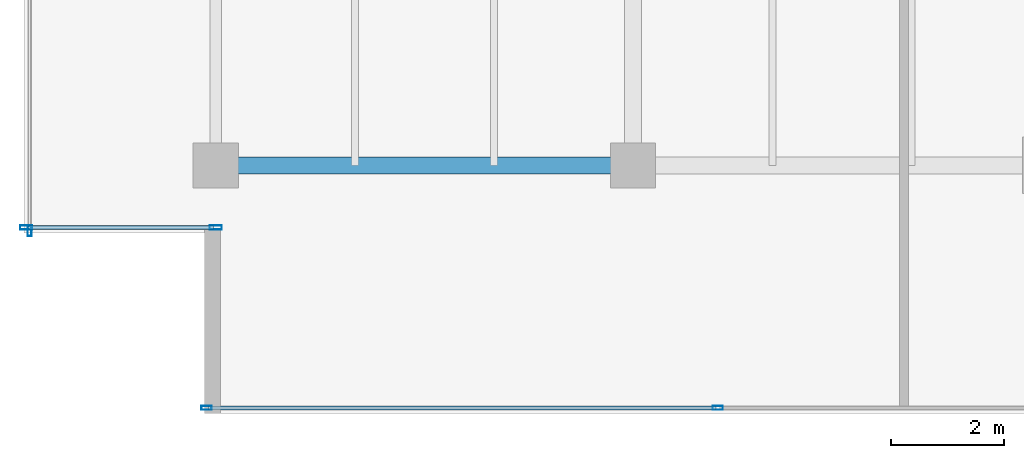
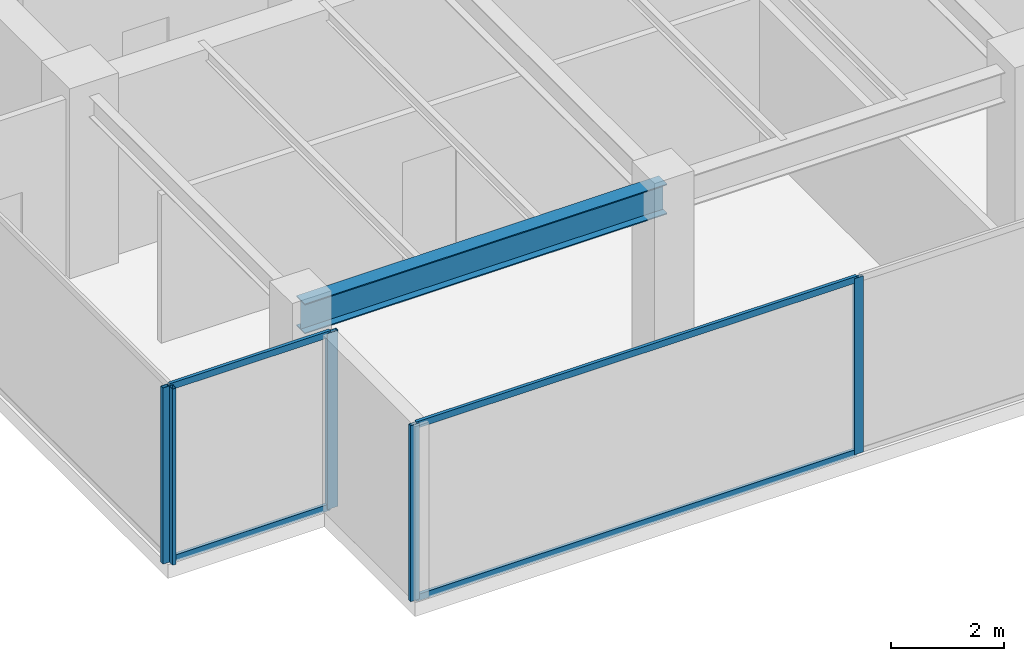
# One storey, part 5 of 33: 9 members, 1 beam, 3 elements without a shape of their own.
"""IFC4 building model written with IfcOpenShell, lengths in metres."""

import ifcopenshell
import ifcopenshell.guid

model = None  # the IFC model being written
_history = None  # IfcOwnerHistory: only IFC2X3 demands one
_inside = {}  # id of a spatial element -> (the spatial element, [elements in it])
_under = {}  # id of a project, library or spatial element -> (it, [spatial elements below it])
_declared = {}  # id of a project -> (the project, [libraries it declares])
_typed = {}  # id of a type object -> (the type object, [elements of that type])
_made_of = {}  # id of a material, layer set ... -> (it, [elements and type objects made of it])


def new_model(schema):
    """Start an empty IFC model of exactly this schema.

    Asked for "IFC4X3", IfcOpenShell would pick the latest addendum, in which some entities
    have other attributes; the version numbers below select the first issue.
    IFC2X3 requires an IfcOwnerHistory on every rooted entity: one is made here for all.
    """
    global model, _history
    if schema == "IFC4X3":
        model = ifcopenshell.file(schema_version=(4, 3, 0, 0))
    else:
        model = ifcopenshell.file(schema=schema)
    _inside.clear()
    _under.clear()
    _declared.clear()
    _typed.clear()
    _made_of.clear()
    _history = None
    if model.schema == "IFC2X3":
        org = make("IfcOrganization", Name="unknown")
        user = make(
            "IfcPersonAndOrganization",
            ThePerson=make("IfcPerson", FamilyName="unknown"),
            TheOrganization=org,
        )
        app = make(
            "IfcApplication",
            ApplicationDeveloper=org,
            Version="unknown",
            ApplicationFullName="unknown",
            ApplicationIdentifier="unknown",
        )
        _history = make(
            "IfcOwnerHistory",
            OwningUser=user,
            OwningApplication=app,
            ChangeAction="ADDED",
            CreationDate=0,
        )
    return model


def make(cls, **values):
    """One entity of the class cls with the attributes given. An attribute that is None is left unset."""
    return model.create_entity(
        cls, **{name: value for name, value in values.items() if value is not None}
    )


def rooted(cls, **values):
    """An entity with a GlobalId (a new one), such as an element, a storey or a relation."""
    return make(cls, GlobalId=ifcopenshell.guid.new(), OwnerHistory=_history, **values)


def si_unit(unit_type, name, prefix=None):
    """IfcSIUnit, for example si_unit("LENGTHUNIT", "METRE", prefix="MILLI")."""
    return make("IfcSIUnit", UnitType=unit_type, Prefix=prefix, Name=name)


def assignment(units):
    """IfcUnitAssignment: the units of a project."""
    return None if units is None else make("IfcUnitAssignment", Units=units)


def point(xyz):
    """IfcCartesianPoint."""
    return None if xyz is None else make("IfcCartesianPoint", Coordinates=xyz)


def direction(xyz):
    """IfcDirection."""
    return None if xyz is None else make("IfcDirection", DirectionRatios=xyz)


def frame(location, z_axis=None, x_axis=None):
    """IfcAxis2Placement3D, a coordinate frame: its origin and axes. An axis left out is left unset."""
    return make(
        "IfcAxis2Placement3D",
        Location=point(location),
        Axis=direction(z_axis),
        RefDirection=direction(x_axis),
    )


def frame_2d(location, x_axis=None):
    """IfcAxis2Placement2D, a coordinate frame in the plane: its origin and x axis."""
    return make(
        "IfcAxis2Placement2D", Location=point(location), RefDirection=direction(x_axis)
    )


def origin():
    """The frame at (0, 0, 0) with its axes left unset."""
    return frame((0.0, 0.0, 0.0))


def origin_2d():
    """The frame at (0, 0) in the plane with its x axis left unset."""
    return frame_2d((0.0, 0.0))


def place(relative_to, where):
    """IfcLocalPlacement: puts the frame where relative to a parent placement (None: the world)."""
    return make(
        "IfcLocalPlacement", PlacementRelTo=relative_to, RelativePlacement=where
    )


def context(
    kind, dimensions, precision=None, world=None, true_north=None, identifier=None
):
    """IfcGeometricRepresentationContext, for example the 3D "Model" context."""
    return make(
        "IfcGeometricRepresentationContext",
        ContextIdentifier=identifier,
        ContextType=kind,
        CoordinateSpaceDimension=dimensions,
        Precision=precision,
        WorldCoordinateSystem=world,
        TrueNorth=true_north,
    )


def subcontext(parent, identifier, kind, view, scale=None):
    """IfcGeometricRepresentationSubContext, for example "Body" below "Model"."""
    return make(
        "IfcGeometricRepresentationSubContext",
        ContextIdentifier=identifier,
        ContextType=kind,
        ParentContext=parent,
        TargetScale=scale,
        TargetView=view,
    )


def project(units=None, contexts=None):
    """IfcProject with its units and contexts."""
    return rooted(
        "IfcProject",
        Name="project",
        RepresentationContexts=contexts,
        UnitsInContext=assignment(units),
    )


def spatial(cls, under=None, at=None, **own):
    """A site, building, storey or space (cls), placed at a placement, below another one or the project."""
    s = rooted(cls, ObjectPlacement=at, **own)
    if under is not None:
        _under.setdefault(under.id(), (under, []))[1].append(s)
    return s


def profile(cls, at=None, kind="AREA", **sizes):
    """A parametric profile (cls). Its sizes go by their IFC names, for example OverallWidth=200.0."""
    return make(cls, ProfileType=kind, Position=at, **sizes)


def hollow_rectangle(**sizes):
    """IfcRectangleHollowProfileDef."""
    return profile("IfcRectangleHollowProfileDef", **sizes)


def i_section(**sizes):
    """IfcIShapeProfileDef."""
    return profile("IfcIShapeProfileDef", **sizes)


def extrude(swept, where, along, depth):
    """IfcExtrudedAreaSolid: the profile swept, set in the frame where, extruded along a direction by depth."""
    return make(
        "IfcExtrudedAreaSolid",
        SweptArea=swept,
        Position=where,
        ExtrudedDirection=direction(along),
        Depth=depth,
    )


def shape(context_of_items, identifier, shape_type, items):
    """IfcShapeRepresentation: the items that make up one representation, for example the "Body"."""
    return make(
        "IfcShapeRepresentation",
        ContextOfItems=context_of_items,
        RepresentationIdentifier=identifier,
        RepresentationType=shape_type,
        Items=items,
    )


def source(mapping_origin, context_of_items, identifier, shape_type, items):
    """IfcRepresentationMap: a shape defined once, which mapped items show again and again."""
    return make(
        "IfcRepresentationMap",
        MappingOrigin=mapping_origin,
        MappedRepresentation=shape(context_of_items, identifier, shape_type, items),
    )


def transform(
    local_origin,
    x_axis=None,
    y_axis=None,
    z_axis=None,
    scale=None,
    scale2=None,
    scale3=None,
    uniform=True,
):
    """IfcCartesianTransformationOperator3D, or its non-uniform kind. x_axis, y_axis, z_axis: its Axis1, 2, 3."""
    if uniform:
        return make(
            "IfcCartesianTransformationOperator3D",
            Axis1=direction(x_axis),
            Axis2=direction(y_axis),
            LocalOrigin=point(local_origin),
            Scale=scale,
            Axis3=direction(z_axis),
        )
    return make(
        "IfcCartesianTransformationOperator3DnonUniform",
        Axis1=direction(x_axis),
        Axis2=direction(y_axis),
        LocalOrigin=point(local_origin),
        Scale=scale,
        Axis3=direction(z_axis),
        Scale2=scale2,
        Scale3=scale3,
    )


def mapped(mapping_source, mapping_target):
    """IfcMappedItem: shows the shape of a source again, moved by a transform."""
    return make(
        "IfcMappedItem", MappingSource=mapping_source, MappingTarget=mapping_target
    )


def material(Name=None, Category=None):
    """IfcMaterial."""
    return make("IfcMaterial", Name=Name, Category=Category)


def layer(
    of_material, thickness, ventilated=None, Name=None, Category=None, Priority=None
):
    """IfcMaterialLayer: one layer of a wall or slab, of a material (None: an air gap)."""
    return make(
        "IfcMaterialLayer",
        Material=of_material,
        LayerThickness=thickness,
        IsVentilated=ventilated,
        Name=Name,
        Category=Category,
        Priority=Priority,
    )


def layer_set(layers, Name=None):
    """IfcMaterialLayerSet."""
    return make("IfcMaterialLayerSet", MaterialLayers=layers, LayerSetName=Name)


def material_profile(
    of_material, cross_section, Name=None, Category=None, Priority=None
):
    """IfcMaterialProfile: a cross section and its material."""
    return make(
        "IfcMaterialProfile",
        Name=Name,
        Material=of_material,
        Profile=cross_section,
        Priority=Priority,
        Category=Category,
    )


def profile_set(profiles, Name=None, composite=None):
    """IfcMaterialProfileSet."""
    return make(
        "IfcMaterialProfileSet",
        Name=Name,
        MaterialProfiles=profiles,
        CompositeProfile=composite,
    )


def made_of(thing, what):
    """Note that an element or type object is made of a material, layer set ...; save() writes the relation."""
    if what is not None:
        _made_of.setdefault(what.id(), (what, []))[1].append(thing)
    return thing


def type_object(cls, material=None, **own):
    """A type object (cls), such as IfcWallType, which elements share."""
    return made_of(rooted(cls, **own), material)


def type_shapes(of_type, sources):
    """Give a type object the sources (RepresentationMaps) that its elements show as mapped items."""
    of_type.RepresentationMaps = sources


def element(
    cls,
    number,
    at=None,
    inside=None,
    cuts=None,
    type_object=None,
    material=None,
    context=None,
    identifier="Body",
    shape_type=None,
    held_by="IfcProductDefinitionShape",
    body=None,
    shapes=None,
    **own,
):
    """One element of the class cls, such as IfcWall. Its Tag is "e" and its number.

    at: its placement. inside: the storey or other place that contains it. cuts: it is an
    opening in that element (IfcRelVoidsElement). A single representation is given by context,
    identifier, shape_type and body (its items); several are given by shapes. held_by: the class
    of the entity that holds the representations. save() writes the other relations.
    """
    e = rooted(cls, Tag="e%d" % number, ObjectPlacement=at, **own)
    if body is not None:
        shapes = [shape(context, identifier, shape_type, body)]
    if shapes is not None:
        e.Representation = make(held_by, Representations=shapes)
    if inside is not None:
        _inside.setdefault(inside.id(), (inside, []))[1].append(e)
    if cuts is not None:
        rooted(
            "IfcRelVoidsElement", RelatingBuildingElement=cuts, RelatedOpeningElement=e
        )
    if type_object is not None:
        _typed.setdefault(type_object.id(), (type_object, []))[1].append(e)
    return made_of(e, material)


def aggregate(whole, parts):
    """IfcRelAggregates: a whole, such as a stair, and the parts it consists of."""
    return rooted("IfcRelAggregates", RelatingObject=whole, RelatedObjects=parts)


def save(model, path):
    """Write the relations noted so far, then the file.

    IfcRelAggregates (storeys below a building ...), IfcRelContainedInSpatialStructure (elements
    in a storey), IfcRelDefinesByType, IfcRelAssociatesMaterial and IfcRelDeclares: one each for
    every whole, place, type object, material and project.
    """
    for whole, parts in _under.values():
        aggregate(whole, parts)
    for where, things in _inside.values():
        rooted(
            "IfcRelContainedInSpatialStructure",
            RelatedElements=things,
            RelatingStructure=where,
        )
    for kind, things in _typed.values():
        rooted("IfcRelDefinesByType", RelatedObjects=things, RelatingType=kind)
    for what, things in _made_of.values():
        rooted("IfcRelAssociatesMaterial", RelatedObjects=things, RelatingMaterial=what)
    for by, libraries in _declared.values():
        rooted("IfcRelDeclares", RelatingContext=by, RelatedDefinitions=libraries)
    model.write(path)


model = new_model("IFC4")

# Units and contexts
model_context = context("Model", 3, precision=1e-05, world=origin(), true_north=direction((0.0, 1.0)))
body_context = subcontext(model_context, "Body", "Model", "MODEL_VIEW")
ifc_project = project(units=[si_unit("LENGTHUNIT", "METRE"), si_unit("AREAUNIT", "SQUARE_METRE"), si_unit("VOLUMEUNIT", "CUBIC_METRE"), si_unit("PLANEANGLEUNIT", "RADIAN"), si_unit("MASSUNIT", "GRAM", prefix="KILO")], contexts=[model_context])

# Site, building, storey
site_placement = place(None, origin())
site = spatial("IfcSite", under=ifc_project, at=site_placement, CompositionType="ELEMENT")
building_placement = place(site_placement, origin())
building = spatial("IfcBuilding", under=site, at=building_placement, Name="Haelvirn Gate Laboratories", CompositionType="ELEMENT")
storey_placement = place(building_placement, frame((0.0, 0.0, 287.5)))
storey = spatial("IfcBuildingStorey", under=building, at=storey_placement, Name="L69", CompositionType="ELEMENT", Elevation=287.5)

# Beam
ifc_material_1 = material(Name="Steel SM355", Category="steel")
ifc_material_profile_1 = material_profile(ifc_material_1, i_section(OverallWidth=0.300048828125, OverallDepth=0.64990234375, WebThickness=0.012939453125, FlangeThickness=0.02197265625, at=origin_2d()), Name="H-650x300x13x22")
ifc_profile_set_1 = profile_set([ifc_material_profile_1], Name="Steel SM355")
beam_type = type_object("IfcBeamType", Name="BM-G-650", PredefinedType="BEAM", material=ifc_profile_set_1)
shared_shape_1 = source(origin(), body_context, "Body", "SweptSolid", [
    extrude(i_section(OverallWidth=0.300048828125, OverallDepth=0.64990234375, WebThickness=0.012939453125, FlangeThickness=0.02197265625, at=origin_2d()), origin(), (0.0, 0.0, 1.0), 7.400146484375),
])
type_shapes(beam_type, [shared_shape_1])
beam_placement = place(storey_placement, frame((7.39990234375, 7.0, 3.47509765625), z_axis=(1.0, 0.0, 0.0), x_axis=(0.0, 1.0, 0.0)))
element("IfcBeam", 1, at=beam_placement, inside=storey, type_object=beam_type, Name="L69 Primary Girder Y7.0 (7.4-14.8)", PredefinedType="BEAM", context=body_context, shape_type="MappedRepresentation", body=[
    mapped(shared_shape_1, transform((0.0, 0.0, 0.0), scale=1.0)),
])

# Curtain wall, members
ifc_material_2 = material(Name="Anodised bronze unitised aluminium & triple low-E glass", Category="aluminium")
ifc_layer_1 = layer(ifc_material_2, 0.181884765625, Name="CW-SYS-5")
ifc_layer_set_1 = layer_set([ifc_layer_1], Name="Anodised bronze unitised aluminium & triple low-E glass")
curtain_wall_type_1 = type_object("IfcCurtainWallType", Name="CW-SYS-5", PredefinedType="NOTDEFINED", material=ifc_layer_set_1)
curtain_wall_1_placement = place(storey_placement, origin())
curtain_wall_1 = element("IfcCurtainWall", 2, at=curtain_wall_1_placement, inside=storey, type_object=curtain_wall_type_1, Name="L69 Unitised Curtain Wall CW-L69-P0-E18-1", PredefinedType="NOTDEFINED")
ifc_material_3 = material(Name="Extruded aluminium 6063-T6 (anodised bronze)", Category="aluminium")
ifc_material_profile_2 = material_profile(ifc_material_3, hollow_rectangle(XDim=0.06494140625, YDim=0.139892578125, WallThickness=0.00390625, at=origin_2d()), Name="CWT-140x65x4")
ifc_profile_set_2 = profile_set([ifc_material_profile_2], Name="Extruded aluminium 6063-T6 (anodised bronze)")
member_type_1 = type_object("IfcMemberType", Name="CWT-T140", PredefinedType="USERDEFINED", material=ifc_profile_set_2)
shared_shape_2 = source(origin(), body_context, "Body", "SweptSolid", [
    extrude(hollow_rectangle(XDim=0.06494140625, YDim=0.139892578125, WallThickness=0.00390625, at=origin_2d()), origin(), (0.0, 0.0, 1.0), 3.280029296875),
])
member_1_placement = place(storey_placement, frame((4.080078125, 5.89990234375, 0.032470703125), z_axis=(1.0, 0.0, 0.0), x_axis=(0.0, 1.0, 0.0)))
member_1 = element("IfcMember", 3, at=member_1_placement, type_object=member_type_1, Name="CW5 transom 1.1", ObjectType="TRANSOM", PredefinedType="USERDEFINED", context=body_context, shape_type="MappedRepresentation", body=[
    mapped(shared_shape_2, transform((0.0, 0.0, 0.0), scale=1.0)),
])
member_2_placement = place(storey_placement, frame((4.080078125, 5.89990234375, 3.767578125), z_axis=(1.0, 0.0, 0.0), x_axis=(0.0, 1.0, 0.0)))
member_2 = element("IfcMember", 4, at=member_2_placement, type_object=member_type_1, Name="CW5 transom 1.2", ObjectType="TRANSOM", PredefinedType="USERDEFINED", context=body_context, shape_type="MappedRepresentation", body=[
    mapped(shared_shape_2, transform((0.0, 0.0, 0.0), scale=1.0)),
])

ifc_layer_2 = layer(ifc_material_2, 0.176025390625, Name="CW-SYS-4")
ifc_layer_set_2 = layer_set([ifc_layer_2], Name="Anodised bronze unitised aluminium & triple low-E glass")
curtain_wall_type_2 = type_object("IfcCurtainWallType", Name="CW-SYS-4", PredefinedType="NOTDEFINED", material=ifc_layer_set_2)
curtain_wall_2_placement = place(storey_placement, origin())
curtain_wall_2 = element("IfcCurtainWall", 5, at=curtain_wall_2_placement, inside=storey, type_object=curtain_wall_type_2, Name="L69 Unitised Curtain Wall CW-L69-P0-E00-1", PredefinedType="NOTDEFINED")
ifc_material_profile_3 = material_profile(ifc_material_3, hollow_rectangle(XDim=0.070068359375, YDim=0.179931640625, WallThickness=0.0048828125, at=origin_2d()), Name="CWM-180x70x5")
ifc_profile_set_3 = profile_set([ifc_material_profile_3], Name="Extruded aluminium 6063-T6 (anodised bronze)")
member_type_2 = type_object("IfcMemberType", Name="CWM-T180", PredefinedType="MULLION", material=ifc_profile_set_3)
shared_shape_3 = source(origin(), body_context, "Body", "SweptSolid", [
    extrude(hollow_rectangle(XDim=0.070068359375, YDim=0.179931640625, WallThickness=0.0048828125, at=origin_2d()), origin(), (0.0, 0.0, 1.0), 3.800048828125),
])
type_shapes(member_type_2, [shared_shape_3])
member_3_placement = place(storey_placement, frame((7.235107421875, 2.699951171875, 0.0), z_axis=(0.0, 0.0, 1.0), x_axis=(0.0, 1.0, 0.0)))
member_3 = element("IfcMember", 6, at=member_3_placement, type_object=member_type_2, Name="CW4 mullion 1", PredefinedType="MULLION", context=body_context, shape_type="MappedRepresentation", body=[
    mapped(shared_shape_3, transform((0.0, 0.0, 0.0), scale=1.0)),
])
member_4_placement = place(storey_placement, frame((16.300048828125, 2.699951171875, 0.0), z_axis=(0.0, 0.0, 1.0), x_axis=(0.0, 1.0, 0.0)))
member_4 = element("IfcMember", 7, at=member_4_placement, type_object=member_type_2, Name="CW4 mullion 2", PredefinedType="MULLION", context=body_context, shape_type="MappedRepresentation", body=[
    mapped(shared_shape_3, transform((0.0, 0.0, 0.0), scale=1.0)),
])

# Curtain wall, member
curtain_wall_3_placement = place(storey_placement, origin())
curtain_wall_3 = element("IfcCurtainWall", 8, at=curtain_wall_3_placement, inside=storey, type_object=curtain_wall_type_2, Name="L69 Unitised Curtain Wall CW-L69-P0-E17", PredefinedType="NOTDEFINED")
member_5_placement = place(storey_placement, frame((4.10009765625, 5.8349609375, 0.0), z_axis=(0.0, 0.0, 1.0), x_axis=(1.0, 0.0, 0.0)))
member_5 = element("IfcMember", 9, at=member_5_placement, type_object=member_type_2, Name="CW4 mullion 3", PredefinedType="MULLION", context=body_context, shape_type="MappedRepresentation", body=[
    mapped(shared_shape_3, transform((0.0, 0.0, 0.0), scale=1.0)),
])
aggregate(curtain_wall_3, [member_5])

# Member
shared_shape_4 = source(origin(), body_context, "Body", "SweptSolid", [
    extrude(hollow_rectangle(XDim=0.06494140625, YDim=0.139892578125, WallThickness=0.00390625, at=origin_2d()), origin(), (0.0, 0.0, 1.0), 8.994873046875),
])
type_shapes(member_type_1, [shared_shape_2, shared_shape_4])
member_6_placement = place(storey_placement, frame((7.27001953125, 2.699951171875, 0.032470703125), z_axis=(1.0, 0.0, 0.0), x_axis=(0.0, 1.0, 0.0)))
member_6 = element("IfcMember", 10, at=member_6_placement, type_object=member_type_1, Name="CW4 transom 1.1", ObjectType="TRANSOM", PredefinedType="USERDEFINED", context=body_context, shape_type="MappedRepresentation", body=[
    mapped(shared_shape_4, transform((0.0, 0.0, 0.0), scale=1.0)),
])

member_7_placement = place(storey_placement, frame((7.27001953125, 2.699951171875, 3.767578125), z_axis=(1.0, 0.0, 0.0), x_axis=(0.0, 1.0, 0.0)))
member_7 = element("IfcMember", 11, at=member_7_placement, type_object=member_type_1, Name="CW4 transom 1.2", ObjectType="TRANSOM", PredefinedType="USERDEFINED", context=body_context, shape_type="MappedRepresentation", body=[
    mapped(shared_shape_4, transform((0.0, 0.0, 0.0), scale=1.0)),
])

aggregate(curtain_wall_2, [member_3, member_4, member_6, member_7])

ifc_material_profile_4 = material_profile(ifc_material_3, hollow_rectangle(XDim=0.080078125, YDim=0.219970703125, WallThickness=0.006103515625, at=origin_2d()), Name="CWM-220x80x6")
ifc_profile_set_4 = profile_set([ifc_material_profile_4], Name="Extruded aluminium 6063-T6 (anodised bronze)")
member_type_3 = type_object("IfcMemberType", Name="CWM-T220", PredefinedType="MULLION", material=ifc_profile_set_4)
shared_shape_5 = source(origin(), body_context, "Body", "SweptSolid", [
    extrude(hollow_rectangle(XDim=0.080078125, YDim=0.219970703125, WallThickness=0.006103515625, at=origin_2d()), origin(), (0.0, 0.0, 1.0), 3.800048828125),
])
type_shapes(member_type_3, [shared_shape_5])
member_8_placement = place(storey_placement, frame((4.0400390625, 5.89990234375, 0.0), z_axis=(0.0, 0.0, 1.0), x_axis=(0.0, 1.0, 0.0)))
member_8 = element("IfcMember", 12, at=member_8_placement, type_object=member_type_3, Name="CW5 mullion 1", PredefinedType="MULLION", context=body_context, shape_type="MappedRepresentation", body=[
    mapped(shared_shape_5, transform((0.0, 0.0, 0.0), scale=1.0)),
])

member_9_placement = place(storey_placement, frame((7.39990234375, 5.89990234375, 0.0), z_axis=(0.0, 0.0, 1.0), x_axis=(0.0, 1.0, 0.0)))
member_9 = element("IfcMember", 13, at=member_9_placement, type_object=member_type_3, Name="CW5 mullion 2", PredefinedType="MULLION", context=body_context, shape_type="MappedRepresentation", body=[
    mapped(shared_shape_5, transform((0.0, 0.0, 0.0), scale=1.0)),
])

aggregate(curtain_wall_1, [member_8, member_9, member_1, member_2])

save(model, "model.ifc")
